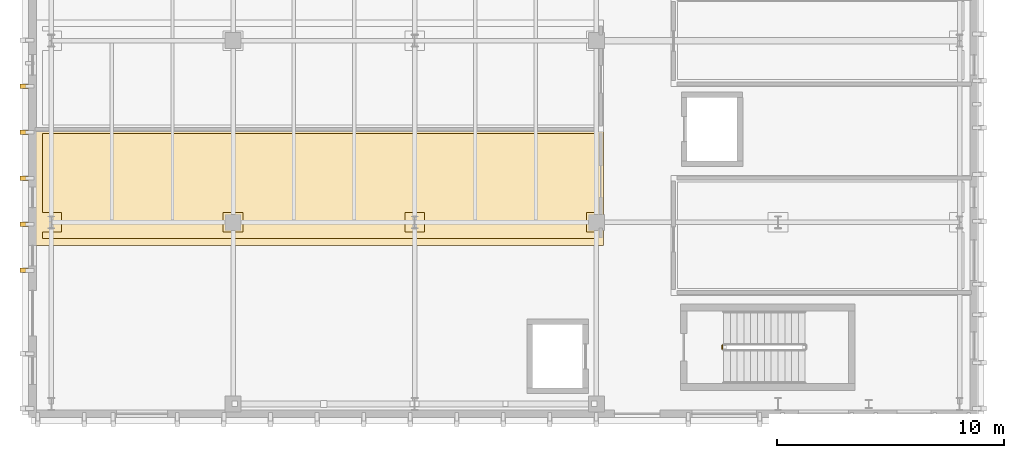
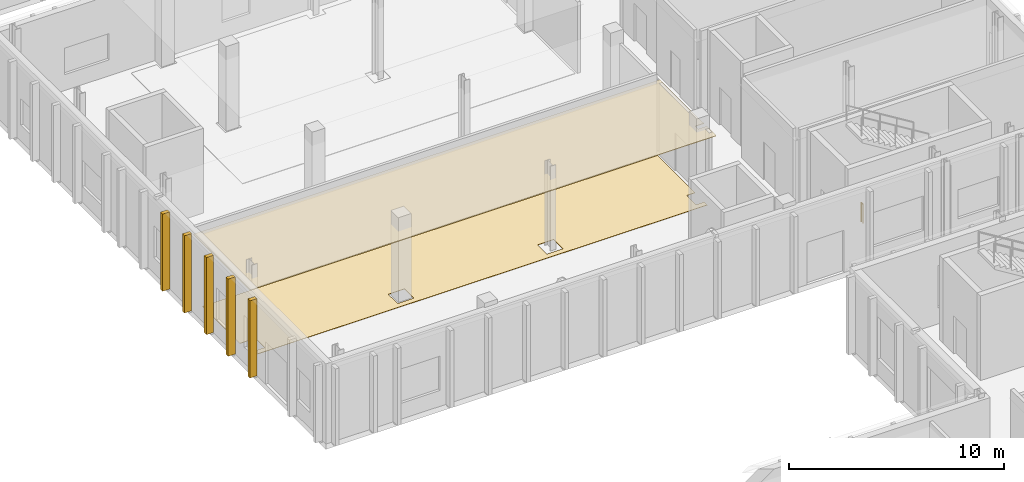
# One storey, part 46 of 60: 7 coverings, 1 railing.
"""IFC4 building model written with IfcOpenShell, lengths in metres."""

from ifc_helpers import new_model, si_unit, direction, frame, origin, origin_2d, place, context, subcontext, project, spatial, polyline, rectangle, circle, outline, extrude, material, layer, layer_set, type_object, element, save


model = new_model("IFC4")

# Units and contexts
model_context = context("Model", 3, precision=1e-05, world=origin(), true_north=direction((0.0, 1.0)))
body_context = subcontext(model_context, "Body", "Model", "MODEL_VIEW")
ifc_project = project(units=[si_unit("LENGTHUNIT", "METRE"), si_unit("AREAUNIT", "SQUARE_METRE"), si_unit("VOLUMEUNIT", "CUBIC_METRE"), si_unit("PLANEANGLEUNIT", "RADIAN"), si_unit("MASSUNIT", "GRAM", prefix="KILO")], contexts=[model_context])

# Site, building, storey
site_placement = place(None, origin())
site = spatial("IfcSite", under=ifc_project, at=site_placement, CompositionType="ELEMENT")
building_placement = place(site_placement, origin())
building = spatial("IfcBuilding", under=site, at=building_placement, Name="Cymarion Research Institute", CompositionType="ELEMENT")
storey_placement = place(building_placement, origin())
storey = spatial("IfcBuildingStorey", under=building, at=storey_placement, Name="L00", CompositionType="ELEMENT", Elevation=0.0)

# Covering
ifc_material_1 = material(Name="Micro-perforated mineral acoustic ceiling tile", Category="gypsum")
ifc_layer_1 = layer(ifc_material_1, 0.030029296875)
ifc_layer_set_1 = layer_set([ifc_layer_1], Name="Micro-perforated mineral acoustic ceiling tile")
covering_type_1 = type_object("IfcCoveringType", Name="ACOUSTIC MICRO-PERFORATED SUSPENDED CEILING CLG-01", PredefinedType="CEILING", material=ifc_layer_set_1)
covering_1_placement = place(storey_placement, frame((0.0, 0.0, 4.0)))
element("IfcCovering", 1, at=covering_1_placement, inside=storey, type_object=covering_type_1, Name="L00 L00 Cleanroom Gowning & Pressure Cascade Airlock acoustic ceiling", PredefinedType="CEILING", context=body_context, shape_type="SweptSolid", body=[
    extrude(outline(polyline([(30.465087890625, 55.635009765625), (30.465087890625, 55.364990234375), (30.9150390625, 55.364990234375), (30.9150390625, 54.485107421875), (5.905029296875, 54.485107421875), (5.905029296875, 59.715087890625), (30.9150390625, 59.715087890625), (30.9150390625, 55.635009765625), (30.465087890625, 55.635009765625)])), origin(), (0.0, 0.0, 1.0), 0.030029296875),
])

# Railing
ifc_material_2 = material(Name="Steel S355", Category="steel")
railing_type = type_object("IfcRailingType", Name="PAINTED STEEL STAIR GUARDRAIL GR1 1100MM", PredefinedType="GUARDRAIL", material=ifc_material_2)
railing_placement = place(storey_placement, frame((36.14990234375, 49.919921875, 0.0)))
element("IfcRailing", 2, at=railing_placement, inside=storey, type_object=railing_type, Name="L00 ST7 stair guard 4", PredefinedType="GUARDRAIL", context=body_context, shape_type="SweptSolid", body=[
    extrude(circle(Radius=0.02392578125, at=origin_2d()), frame((0.0, 0.0, 1.076171875), z_axis=(0.0, 1.0, 0.0), x_axis=(-1.0, 0.0, 0.0)), (0.0, 0.0, 1.0), 0.16015625),
    extrude(circle(Radius=0.02099609375, at=origin_2d()), origin(), (0.0, 0.0, 1.0), 1.052001953125),
    extrude(circle(Radius=0.02099609375, at=origin_2d()), frame((0.0, 0.16015625, 0.0)), (0.0, 0.0, 1.0), 1.052001953125),
])

# Coverings
ifc_material_3 = material(Name="Precast concrete C45/55 architectural white", Category="concrete")
ifc_layer_2 = layer(ifc_material_3, 0.199951171875)
ifc_layer_set_2 = layer_set([ifc_layer_2], Name="Precast concrete C45/55 architectural white")
covering_type_2 = type_object("IfcCoveringType", Name="SCULPTURAL WHITE PRECAST CONCRETE VERTICAL RIB RIB1 380X200", PredefinedType="CLADDING", material=ifc_layer_set_2)
for number, where, z_axis, x_axis, name in (
    (3, (5.407958984375, 61.48681640625, 0.010009765625), (0.0, 0.0, 1.0), (-1.0, 0.0, 0.0), "L00 V4 sculptural precast vertical rib RIB1 #138"),
    (4, (5.407958984375, 59.4599609375, 0.010009765625), (0.0, 0.0, 1.0), (-1.0, 0.0, 0.0), "L00 V4 sculptural precast vertical rib RIB1 #139"),
    (5, (5.407958984375, 57.433349609375, 0.010009765625), (0.0, 0.0, 1.0), (-1.0, 0.0, 0.0), "L00 V4 sculptural precast vertical rib RIB1 #140"),
    (6, (5.407958984375, 55.40673828125, 0.010009765625), (0.0, 0.0, 1.0), (-1.0, 0.0, 0.0), "L00 V4 sculptural precast vertical rib RIB1 #141"),
    (7, (5.407958984375, 53.3798828125, 0.010009765625), (0.0, 0.0, 1.0), (-1.0, 0.0, 0.0), "L00 V4 sculptural precast vertical rib RIB1 #142"),
):
    element("IfcCovering", number, at=place(storey_placement, frame(where, z_axis=z_axis, x_axis=x_axis)), inside=storey, type_object=covering_type_2, Name=name, PredefinedType="CLADDING", context=body_context, shape_type="SweptSolid", body=[
        extrude(rectangle(XDim=0.3798828125, YDim=0.199951171875, at=origin_2d()), origin(), (0.0, 0.0, 1.0), 4.375),
    ])
ifc_material_4 = material(Name="Seamless dissipative epoxy resin flooring", Category="resin")
ifc_layer_3 = layer(ifc_material_4, 0.02001953125)
ifc_layer_set_3 = layer_set([ifc_layer_3], Name="Seamless dissipative epoxy resin flooring")
covering_type_3 = type_object("IfcCoveringType", Name="SEAMLESS ESD EPOXY LABORATORY FLOORING FLR-01", PredefinedType="FLOORING", material=ifc_layer_set_3)
covering_2_placement = place(storey_placement, origin())
element("IfcCovering", 8, at=covering_2_placement, inside=storey, type_object=covering_type_3, Name="L00 L00 Cleanroom Gowning & Pressure Cascade Airlock ESD epoxy flooring", PredefinedType="FLOORING", context=body_context, shape_type="SweptSolid", body=[
    extrude(outline(polyline([(6.205078125, 55.06494140625), (7.034912109375, 55.06494140625), (7.034912109375, 55.93505859375), (6.205078125, 55.93505859375), (6.205078125, 59.4150390625), (30.614990234375, 59.4150390625), (30.614990234375, 55.93505859375), (30.1650390625, 55.93505859375), (30.1650390625, 55.06494140625), (30.614990234375, 55.06494140625), (30.614990234375, 54.784912109375), (6.205078125, 54.784912109375), (6.205078125, 55.06494140625)]), holes=[polyline([(23.034912109375, 55.93505859375), (22.1650390625, 55.93505859375), (22.1650390625, 55.06494140625), (23.034912109375, 55.06494140625), (23.034912109375, 55.93505859375)]), polyline([(15.034912109375, 55.93505859375), (14.1650390625, 55.93505859375), (14.1650390625, 55.06494140625), (15.034912109375, 55.06494140625), (15.034912109375, 55.93505859375)])]), origin(), (0.0, 0.0, 1.0), 0.02001953125),
])

save(model, "model.ifc")
